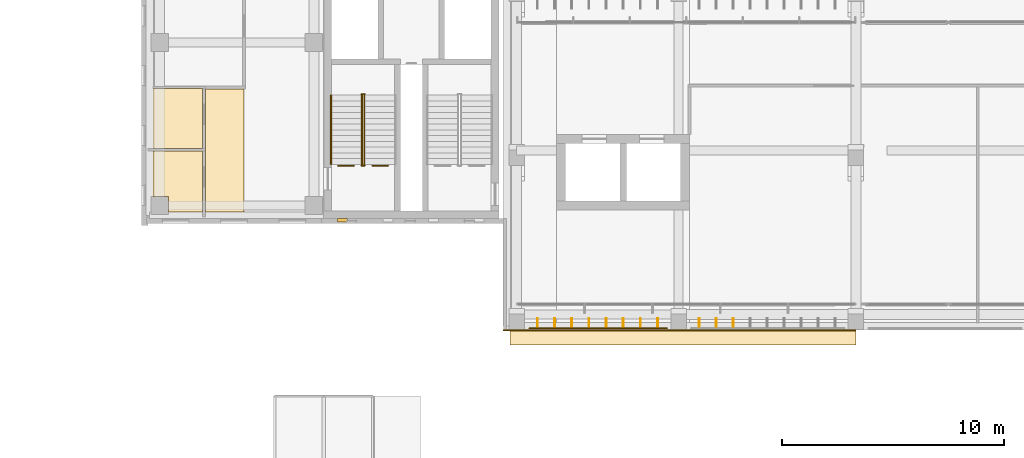
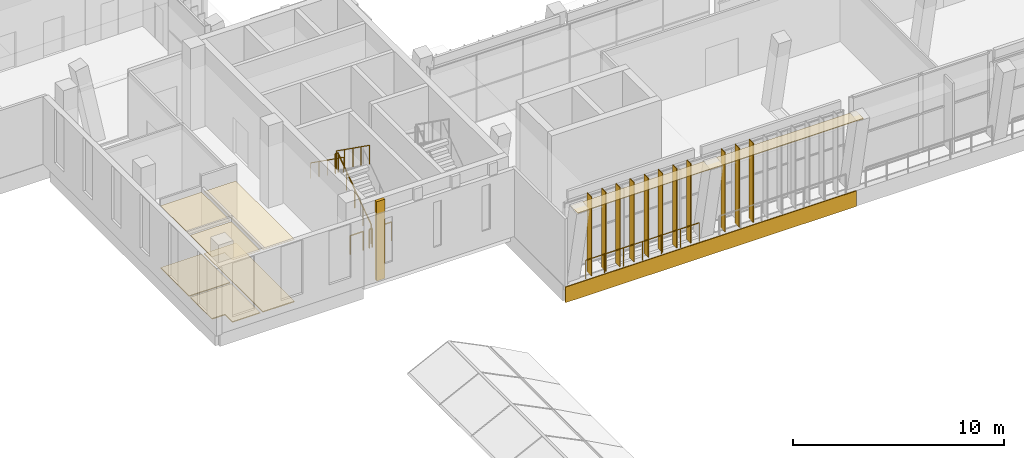
# One storey, part 53 of 73: 11 shading devices, 9 coverings, 8 railings.
"""IFC4 building model written with IfcOpenShell, lengths in metres."""

from ifc_helpers import new_model, si_unit, direction, frame, frame_2d, origin, origin_2d, place, context, subcontext, project, spatial, polyline, rectangle, circle, outline, extrude, material, layer, layer_set, type_object, element, save


model = new_model("IFC4")

# Units and contexts
model_context = context("Model", 3, precision=1e-05, world=origin(), true_north=direction((0.0, 1.0)))
body_context = subcontext(model_context, "Body", "Model", "MODEL_VIEW")
ifc_project = project(units=[si_unit("LENGTHUNIT", "METRE"), si_unit("AREAUNIT", "SQUARE_METRE"), si_unit("VOLUMEUNIT", "CUBIC_METRE"), si_unit("PLANEANGLEUNIT", "RADIAN"), si_unit("MASSUNIT", "GRAM", prefix="KILO")], contexts=[model_context])

# Site, building, storey
site_placement = place(None, origin())
site = spatial("IfcSite", under=ifc_project, at=site_placement, CompositionType="ELEMENT")
building_placement = place(site_placement, origin())
building = spatial("IfcBuilding", under=site, at=building_placement, Name="Lantern Court Media Centre", CompositionType="ELEMENT")
storey_placement = place(building_placement, frame((0.0, 0.0, 24.0)))
storey = spatial("IfcBuildingStorey", under=building, at=storey_placement, Name="L05", CompositionType="ELEMENT", Elevation=24.0)

# Coverings
ifc_material_1 = material(Name="Carpet")
ifc_layer_1 = layer(ifc_material_1, 0.050048828125)
ifc_layer_set_1 = layer_set([ifc_layer_1], Name="Carpet")
covering_type_1 = type_object("IfcCoveringType", Name="Carpet floor finish", PredefinedType="FLOORING", material=ifc_layer_set_1)
covering_1_placement = place(storey_placement, origin())
element("IfcCovering", 1, at=covering_1_placement, inside=storey, type_object=covering_type_1, Name="WC Male floor finish", PredefinedType="FLOORING", context=body_context, shape_type="SweptSolid", body=[
    extrude(outline(polyline([(8.300048828125, 51.056884765625), (10.532470703125, 51.056884765625), (10.532470703125, 48.300048828125), (9.0048828125, 48.300048828125), (9.00341796875, 49.00341796875), (8.300048828125, 49.0048828125), (8.300048828125, 51.056884765625)])), origin(), (0.0, 0.0, 1.0), 0.050048828125),
])
covering_2_placement = place(storey_placement, origin())
element("IfcCovering", 2, at=covering_2_placement, inside=storey, type_object=covering_type_1, Name="WC Female floor finish", PredefinedType="FLOORING", context=body_context, shape_type="SweptSolid", body=[
    extrude(outline(polyline([(8.300048828125, 53.867919921875), (10.532470703125, 53.867919921875), (10.532470703125, 51.1669921875), (8.300048828125, 51.1669921875), (8.300048828125, 53.867919921875)])), origin(), (0.0, 0.0, 1.0), 0.050048828125),
])

# Railings
ifc_material_2 = material(Name="Powder-coated steel", Category="steel")
railing_type_1 = type_object("IfcRailingType", Name="Floor edge guard 1100", PredefinedType="GUARDRAIL", material=ifc_material_2)
railing_1_placement = place(storey_placement, frame((18.89990234375, 50.390380859375, 0.0)))
element("IfcRailing", 3, at=railing_1_placement, inside=storey, type_object=railing_type_1, Name="L05 opening guard 122", PredefinedType="GUARDRAIL", context=body_context, shape_type="SweptSolid", body=[
    extrude(circle(Radius=0.02392578125, at=origin_2d()), frame((0.0, 0.0, 1.076171875), z_axis=(-1.0, 0.0, 0.0), x_axis=(0.0, -1.0, 0.0)), (0.0, 0.0, 1.0), 0.70361328125),
    extrude(circle(Radius=0.02099609375, at=origin_2d()), origin(), (0.0, 0.0, 1.0), 1.052001953125),
    extrude(circle(Radius=0.02099609375, at=origin_2d()), frame((-0.70361328125, 0.0, 0.0)), (0.0, 0.0, 1.0), 1.052001953125),
])
railing_2_placement = place(storey_placement, frame((17.353759765625, 50.390380859375, 0.0)))
element("IfcRailing", 4, at=railing_2_placement, inside=storey, type_object=railing_type_1, Name="L05 opening guard 123", PredefinedType="GUARDRAIL", context=body_context, shape_type="SweptSolid", body=[
    extrude(circle(Radius=0.02392578125, at=origin_2d()), frame((0.0, 0.0, 1.076171875), z_axis=(-1.0, 0.0, 0.0), x_axis=(0.0, -1.0, 0.0)), (0.0, 0.0, 1.0), 0.703857421875),
    extrude(circle(Radius=0.02099609375, at=origin_2d()), origin(), (0.0, 0.0, 1.0), 1.052001953125),
    extrude(circle(Radius=0.02099609375, at=origin_2d()), frame((-0.703857421875, 0.0, 0.0)), (0.0, 0.0, 1.0), 1.052001953125),
])
railing_3_placement = place(storey_placement, frame((31.472900390625, 43.06005859375, 0.0)))
element("IfcRailing", 5, at=railing_3_placement, inside=storey, type_object=railing_type_1, Name="L05 edge guard 168", PredefinedType="GUARDRAIL", context=body_context, shape_type="SweptSolid", body=[
    extrude(circle(Radius=0.02392578125, at=origin_2d()), frame((0.0, 0.0, 1.076171875), z_axis=(-1.0, 0.0, 0.0), x_axis=(0.0, -1.0, 0.0)), (0.0, 0.0, 1.0), 6.197998046875),
    extrude(circle(Radius=0.02099609375, at=origin_2d()), origin(), (0.0, 0.0, 1.0), 1.052001953125),
    extrude(circle(Radius=0.02099609375, at=origin_2d()), frame((-1.032958984375, 0.0, 0.0)), (0.0, 0.0, 1.0), 1.052001953125),
    extrude(circle(Radius=0.02099609375, at=origin_2d()), frame((-2.06591796875, 0.0, 0.0)), (0.0, 0.0, 1.0), 1.052001953125),
    extrude(circle(Radius=0.02099609375, at=origin_2d()), frame((-3.09912109375, 0.0, 0.0)), (0.0, 0.0, 1.0), 1.052001953125),
    extrude(circle(Radius=0.02099609375, at=origin_2d()), frame((-4.132080078125, 0.0, 0.0)), (0.0, 0.0, 1.0), 1.052001953125),
    extrude(circle(Radius=0.02099609375, at=origin_2d()), frame((-5.1650390625, 0.0, 0.0)), (0.0, 0.0, 1.0), 1.052001953125),
    extrude(circle(Radius=0.02099609375, at=origin_2d()), frame((-6.197998046875, 0.0, 0.0)), (0.0, 0.0, 1.0), 1.052001953125),
])

# Coverings
ifc_material_3 = material(Name="White glass-fibre reinforced cement cladding", Category="concrete")
ifc_layer_2 = layer(ifc_material_3, 0.050048828125)
ifc_layer_set_2 = layer_set([ifc_layer_2], Name="White glass-fibre reinforced cement cladding")
covering_type_2 = type_object("IfcCoveringType", Name="Floor-edge band 50", PredefinedType="CLADDING", material=ifc_layer_set_2)
covering_3_placement = place(storey_placement, frame((24.10009765625, 42.97509765625, -0.89990234375), z_axis=(0.0, 0.0, 1.0), x_axis=(1.0, 0.0, 0.0)))
element("IfcCovering", 6, at=covering_3_placement, inside=storey, type_object=covering_type_2, Name="Floor-edge band S outer L05", PredefinedType="CLADDING", context=body_context, shape_type="SweptSolid", body=[
    extrude(rectangle(XDim=15.89990234375, YDim=0.050048828125, at=frame_2d((7.949951171875, 0.0))), origin(), (0.0, 0.0, 1.0), 0.89990234375),
])
ifc_material_4 = material(Name="Honed limestone cladding", Category="masonry")
ifc_layer_3 = layer(ifc_material_4, 0.14990234375)
ifc_layer_set_3 = layer_set([ifc_layer_3], Name="Honed limestone cladding")
covering_type_3 = type_object("IfcCoveringType", Name="Limestone pilaster cladding 150", PredefinedType="CLADDING", material=ifc_layer_set_3)
covering_4_placement = place(storey_placement, frame((16.625, 47.925048828125, 0.0), z_axis=(0.0, 0.0, 1.0), x_axis=(1.0, 0.0, 0.0)))
element("IfcCovering", 7, at=covering_4_placement, inside=storey, type_object=covering_type_3, Name="Limestone pilaster rib", PredefinedType="CLADDING", context=body_context, shape_type="SweptSolid", body=[
    extrude(rectangle(XDim=0.449951171875, YDim=0.14990234375, at=frame_2d((0.22509765625, 0.0))), origin(), (0.0, 0.0, 1.0), 4.580078125),
])
ifc_material_5 = material(Name="White fibre cement soffit board")
ifc_layer_4 = layer(ifc_material_5, 0.0400390625)
ifc_layer_set_4 = layer_set([ifc_layer_4], Name="White fibre cement soffit board")
covering_type_4 = type_object("IfcCoveringType", Name="Soffit lining 40", PredefinedType="CLADDING", material=ifc_layer_set_4)
covering_5_placement = place(storey_placement, frame((24.39990234375, 42.64990234375, 4.5400390625), z_axis=(0.0, 0.0, 1.0), x_axis=(1.0, 0.0, 0.0)))
element("IfcCovering", 8, at=covering_5_placement, inside=storey, type_object=covering_type_4, Name="Soffit lining S L05", PredefinedType="CLADDING", context=body_context, shape_type="SweptSolid", body=[
    extrude(rectangle(XDim=15.60009765625, YDim=0.699951171875, at=frame_2d((7.800048828125, 0.0))), origin(), (0.0, 0.0, 1.0), 0.0400390625),
])

# Railings
railing_type_2 = type_object("IfcRailingType", Name="Stair guard 1100", PredefinedType="GUARDRAIL", material=ifc_material_2)
railing_4_placement = place(storey_placement, frame((17.825927734375, 50.449951171875, 0.1845703125)))
element("IfcRailing", 9, at=railing_4_placement, inside=storey, type_object=railing_type_2, Name="L05 ST-SWA stair guard 1", PredefinedType="GUARDRAIL", context=body_context, shape_type="SweptSolid", body=[
    extrude(circle(Radius=0.02392578125, at=origin_2d()), frame((0.0, 0.0, 1.076171875), z_axis=(0.0, 0.815376961211, 0.578930402662), x_axis=(-1.0, 0.0, 0.0)), (0.0, 0.0, 1.0), 3.82666015625),
    extrude(circle(Radius=0.02099609375, at=origin_2d()), origin(), (0.0, 0.0, 1.0), 1.052001953125),
    extrude(circle(Radius=0.02099609375, at=origin_2d()), frame((0.0, 0.780029296875, 0.5537109375)), (0.0, 0.0, 1.0), 1.052001953125),
    extrude(circle(Radius=0.02099609375, at=origin_2d()), frame((0.0, 1.56005859375, 1.107666015625)), (0.0, 0.0, 1.0), 1.052001953125),
    extrude(circle(Radius=0.02099609375, at=origin_2d()), frame((0.0, 2.340087890625, 1.66162109375)), (0.0, 0.0, 1.0), 1.052001953125),
    extrude(circle(Radius=0.02099609375, at=origin_2d()), frame((0.0, 3.1201171875, 2.21533203125)), (0.0, 0.0, 1.0), 1.052001953125),
])
railing_5_placement = place(storey_placement, frame((17.85009765625, 53.6201171875, 2.39990234375)))
element("IfcRailing", 10, at=railing_5_placement, inside=storey, type_object=railing_type_2, Name="L05 ST-SWA stair guard 2", PredefinedType="GUARDRAIL", context=body_context, shape_type="SweptSolid", body=[
    extrude(circle(Radius=0.02392578125, at=origin_2d()), frame((0.0, 0.0, 1.076171875), z_axis=(-1.0, 0.0, 0.0), x_axis=(0.0, -1.0, 0.0)), (0.0, 0.0, 1.0), 0.150146484375),
    extrude(circle(Radius=0.02099609375, at=origin_2d()), origin(), (0.0, 0.0, 1.0), 1.052001953125),
    extrude(circle(Radius=0.02099609375, at=origin_2d()), frame((-0.150146484375, 0.0, 0.0)), (0.0, 0.0, 1.0), 1.052001953125),
])
railing_6_placement = place(storey_placement, frame((17.72412109375, 53.570068359375, 2.584716796875)))
element("IfcRailing", 11, at=railing_6_placement, inside=storey, type_object=railing_type_2, Name="L05 ST-SWA stair guard 3", PredefinedType="GUARDRAIL", context=body_context, shape_type="SweptSolid", body=[
    extrude(circle(Radius=0.02392578125, at=origin_2d()), frame((0.0, 0.0, 1.076171875), z_axis=(0.0, -0.815376961211, 0.578930402662), x_axis=(1.0, 0.0, 0.0)), (0.0, 0.0, 1.0), 3.82666015625),
    extrude(circle(Radius=0.02099609375, at=origin_2d()), origin(), (0.0, 0.0, 1.0), 1.052001953125),
    extrude(circle(Radius=0.02099609375, at=origin_2d()), frame((0.0, -0.780029296875, 0.5537109375)), (0.0, 0.0, 1.0), 1.052001953125),
    extrude(circle(Radius=0.02099609375, at=origin_2d()), frame((0.0, -1.56005859375, 1.107666015625)), (0.0, 0.0, 1.0), 1.052001953125),
    extrude(circle(Radius=0.02099609375, at=origin_2d()), frame((0.0, -2.340087890625, 1.66162109375)), (0.0, 0.0, 1.0), 1.052001953125),
    extrude(circle(Radius=0.02099609375, at=origin_2d()), frame((0.0, -3.1201171875, 2.21533203125)), (0.0, 0.0, 1.0), 1.052001953125),
])
railing_7_placement = place(storey_placement, frame((17.85009765625, 50.39990234375, 0.0)))
element("IfcRailing", 12, at=railing_7_placement, inside=storey, type_object=railing_type_2, Name="L05 ST-SWA stair guard 4", PredefinedType="GUARDRAIL", context=body_context, shape_type="SweptSolid", body=[
    extrude(circle(Radius=0.02392578125, at=origin_2d()), frame((0.0, 0.0, 1.076171875), z_axis=(-1.0, 0.0, 0.0), x_axis=(0.0, -1.0, 0.0)), (0.0, 0.0, 1.0), 0.150146484375),
    extrude(circle(Radius=0.02099609375, at=origin_2d()), origin(), (0.0, 0.0, 1.0), 1.052001953125),
    extrude(circle(Radius=0.02099609375, at=origin_2d()), frame((-0.150146484375, 0.0, 0.0)), (0.0, 0.0, 1.0), 1.052001953125),
])
railing_type_3 = type_object("IfcRailingType", Name="Stair handrail 900", PredefinedType="HANDRAIL", material=ifc_material_2)
railing_8_placement = place(storey_placement, frame((16.325927734375, 53.570068359375, 2.584716796875)))
element("IfcRailing", 13, at=railing_8_placement, inside=storey, type_object=railing_type_3, Name="L05 ST-SWA stair handrail 2", PredefinedType="HANDRAIL", context=body_context, shape_type="SweptSolid", body=[
    extrude(circle(Radius=0.02392578125, at=origin_2d()), frame((0.0, 0.0, 0.8759765625), z_axis=(0.0, -0.815376961211, 0.578930402662), x_axis=(1.0, 0.0, 0.0)), (0.0, 0.0, 1.0), 3.82666015625),
    extrude(circle(Radius=0.02099609375, at=origin_2d()), origin(), (0.0, 0.0, 1.0), 0.851806640625),
    extrude(circle(Radius=0.02099609375, at=origin_2d()), frame((0.0, -0.780029296875, 0.5537109375)), (0.0, 0.0, 1.0), 0.851806640625),
    extrude(circle(Radius=0.02099609375, at=origin_2d()), frame((0.0, -1.56005859375, 1.107666015625)), (0.0, 0.0, 1.0), 0.851806640625),
    extrude(circle(Radius=0.02099609375, at=origin_2d()), frame((0.0, -2.340087890625, 1.66162109375)), (0.0, 0.0, 1.0), 0.851806640625),
    extrude(circle(Radius=0.02099609375, at=origin_2d()), frame((0.0, -3.1201171875, 2.21533203125)), (0.0, 0.0, 1.0), 0.851806640625),
])

# Coverings
ifc_material_6 = material(Name="Mineral fibre ceiling tile")
ifc_layer_5 = layer(ifc_material_6, 0.02001953125)
ifc_layer_set_5 = layer_set([ifc_layer_5], Name="Mineral fibre ceiling tile")
covering_type_5 = type_object("IfcCoveringType", Name="Suspended ceiling tile", PredefinedType="CEILING", material=ifc_layer_set_5)
covering_6_placement = place(storey_placement, frame((0.0, 0.0, 3.60009765625)))
element("IfcCovering", 14, at=covering_6_placement, inside=storey, type_object=covering_type_5, Name="WC Lobby ceiling", PredefinedType="CEILING", context=body_context, shape_type="SweptSolid", body=[
    extrude(outline(polyline([(12.39990234375, 48.300048828125), (10.6630859375, 48.300048828125), (10.6630859375, 53.860107421875), (12.39990234375, 53.860107421875), (12.39990234375, 48.300048828125)])), origin(), (0.0, 0.0, 1.0), 0.02001953125),
])
covering_7_placement = place(storey_placement, frame((0.0, 0.0, 3.60009765625)))
element("IfcCovering", 15, at=covering_7_placement, inside=storey, type_object=covering_type_5, Name="WC Male ceiling", PredefinedType="CEILING", context=body_context, shape_type="SweptSolid", body=[
    extrude(outline(polyline([(8.300048828125, 51.0615234375), (10.537109375, 51.0615234375), (10.537109375, 48.300048828125), (9.00048828125, 48.300048828125), (9.000244140625, 49.000244140625), (8.300048828125, 49.00048828125), (8.300048828125, 51.0615234375)])), origin(), (0.0, 0.0, 1.0), 0.02001953125),
])
covering_8_placement = place(storey_placement, frame((0.0, 0.0, 3.60009765625)))
element("IfcCovering", 16, at=covering_8_placement, inside=storey, type_object=covering_type_5, Name="WC Female ceiling", PredefinedType="CEILING", context=body_context, shape_type="SweptSolid", body=[
    extrude(outline(polyline([(8.300048828125, 53.87255859375), (10.537109375, 53.87255859375), (10.537109375, 51.16259765625), (8.300048828125, 51.16259765625), (8.300048828125, 53.87255859375)])), origin(), (0.0, 0.0, 1.0), 0.02001953125),
])
ifc_material_7 = material(Name="Terrazzo")
ifc_layer_6 = layer(ifc_material_7, 0.050048828125)
ifc_layer_set_6 = layer_set([ifc_layer_6], Name="Terrazzo")
covering_type_6 = type_object("IfcCoveringType", Name="Terrazzo floor finish", PredefinedType="FLOORING", material=ifc_layer_set_6)
covering_9_placement = place(storey_placement, origin())
element("IfcCovering", 17, at=covering_9_placement, inside=storey, type_object=covering_type_6, Name="WC Lobby floor finish", PredefinedType="FLOORING", context=body_context, shape_type="SweptSolid", body=[
    extrude(outline(polyline([(12.39990234375, 48.300048828125), (10.66748046875, 48.300048828125), (10.66748046875, 53.85546875), (12.39990234375, 53.85546875), (12.39990234375, 48.300048828125)])), origin(), (0.0, 0.0, 1.0), 0.050048828125),
])

# Shading devices
ifc_material_8 = material(Name="Bronze anodised aluminium louvre", Category="aluminium")
ifc_layer_7 = layer(ifc_material_8, 0.0400390625)
ifc_layer_set_7 = layer_set([ifc_layer_7], Name="Bronze anodised aluminium louvre")
shading_device_type = type_object("IfcShadingDeviceType", Name="Vertical louvre 40x400 full storey", PredefinedType="USERDEFINED", material=ifc_layer_set_7)
for number, where, z_axis, x_axis, name in (
    (18, (25.637451171875, 43.320068359375, 0.0), (0.0, 0.0, 1.0), (1.0, 0.0, 0.0), "Vertical louvre S outer L05"),
    (19, (26.41259765625, 43.320068359375, 0.0), (0.0, 0.0, 1.0), (1.0, 0.0, 0.0), "Vertical louvre S outer L05"),
    (20, (27.1875, 43.320068359375, 0.0), (0.0, 0.0, 1.0), (1.0, 0.0, 0.0), "Vertical louvre S outer L05"),
    (21, (27.96240234375, 43.320068359375, 0.0), (0.0, 0.0, 1.0), (1.0, 0.0, 0.0), "Vertical louvre S outer L05"),
    (22, (28.737548828125, 43.320068359375, 0.0), (0.0, 0.0, 1.0), (1.0, 0.0, 0.0), "Vertical louvre S outer L05"),
    (23, (29.512451171875, 43.320068359375, 0.0), (0.0, 0.0, 1.0), (1.0, 0.0, 0.0), "Vertical louvre S outer L05"),
    (24, (30.28759765625, 43.320068359375, 0.0), (0.0, 0.0, 1.0), (1.0, 0.0, 0.0), "Vertical louvre S outer L05"),
    (25, (31.0625, 43.320068359375, 0.0), (0.0, 0.0, 1.0), (1.0, 0.0, 0.0), "Vertical louvre S outer L05"),
    (26, (32.933349609375, 43.320068359375, 0.0), (0.0, 0.0, 1.0), (1.0, 0.0, 0.0), "Vertical louvre S outer L05"),
    (27, (33.699951171875, 43.320068359375, 0.0), (0.0, 0.0, 1.0), (1.0, 0.0, 0.0), "Vertical louvre S outer L05"),
    (28, (34.466552734375, 43.320068359375, 0.0), (0.0, 0.0, 1.0), (1.0, 0.0, 0.0), "Vertical louvre S outer L05"),
):
    element("IfcShadingDevice", number, at=place(storey_placement, frame(where, z_axis=z_axis, x_axis=x_axis)), inside=storey, type_object=shading_device_type, Name=name, ObjectType="VERTICAL LOUVRE", PredefinedType="USERDEFINED", context=body_context, shape_type="SweptSolid", body=[
        extrude(rectangle(XDim=0.0400390625, YDim=0.39990234375, at=origin_2d()), origin(), (0.0, 0.0, 1.0), 4.580078125),
    ])

save(model, "model.ifc")
